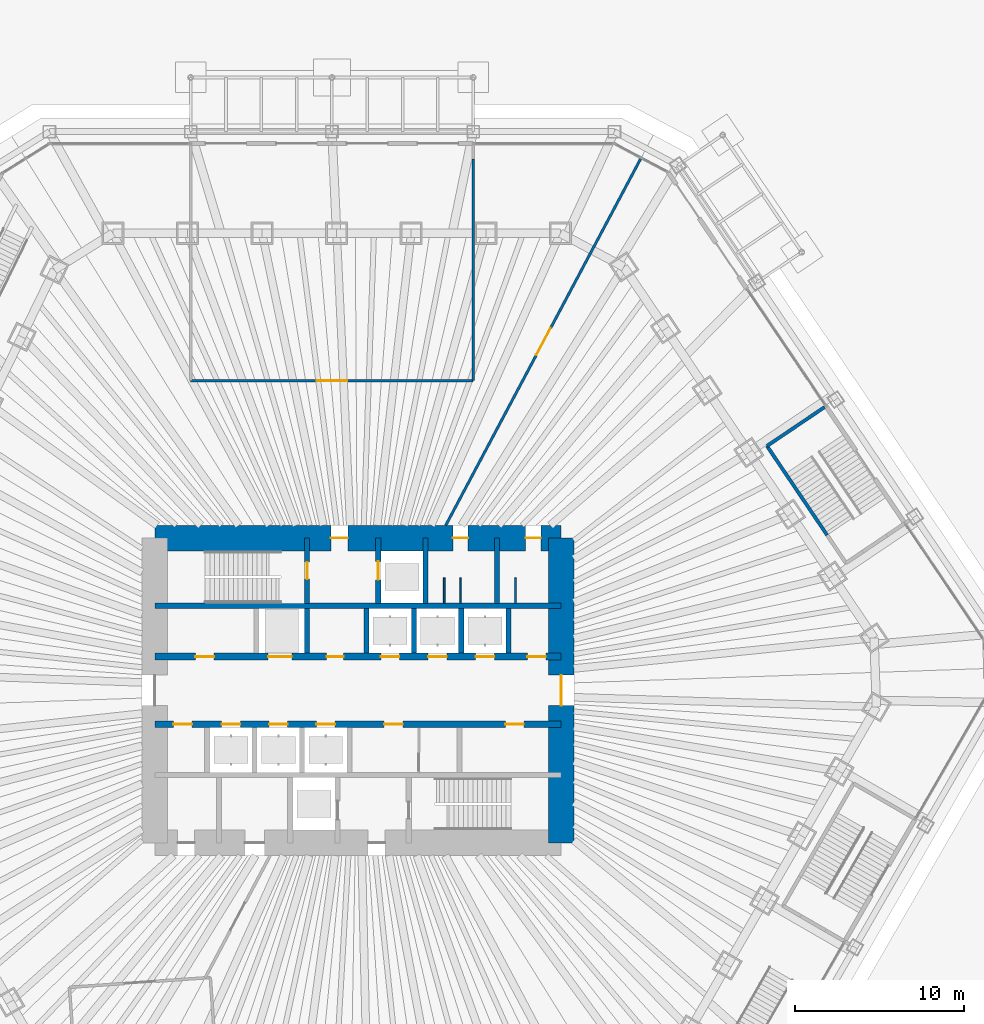
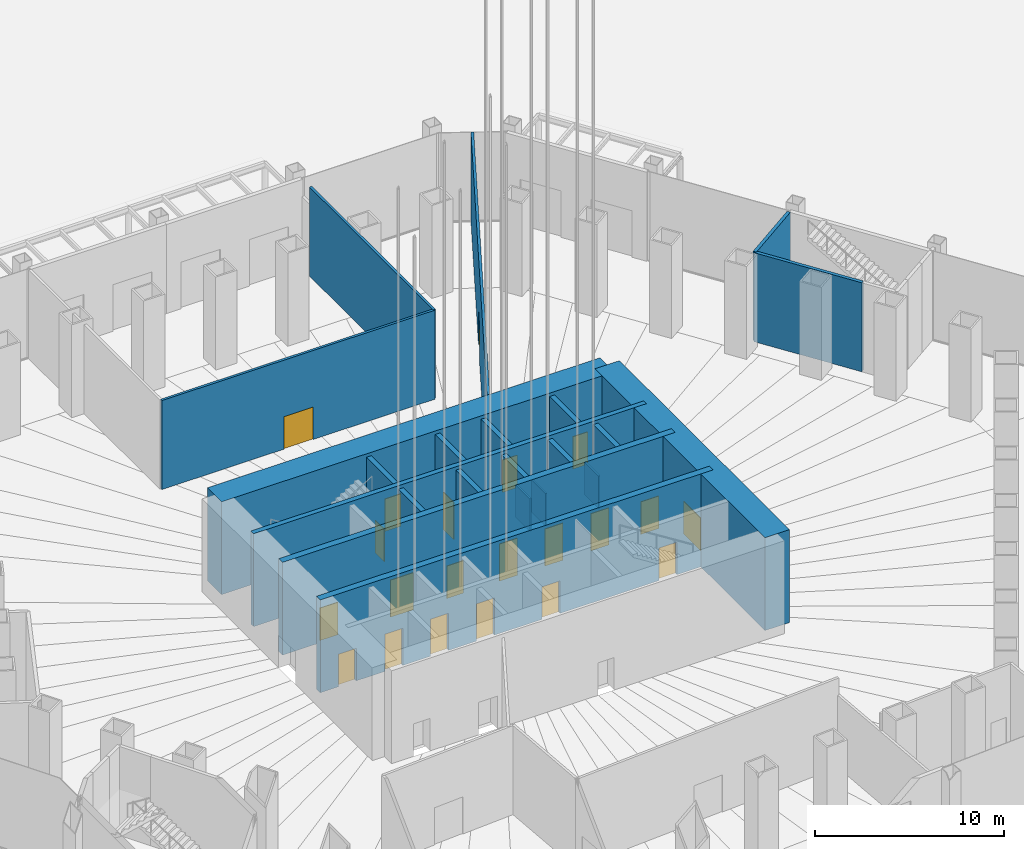
# One storey, part 29 of 45: 22 walls, 21 doors, 21 openings.
"""IFC4 building model written with IfcOpenShell, lengths in metres."""

from ifc_helpers import new_model, si_unit, direction, frame, frame_2d, origin, place, context, subcontext, project, spatial, rectangle, extrude, material, layer, layer_set, type_object, element, fill, save


model = new_model("IFC4")

# Units and contexts
model_context = context("Model", 3, precision=1e-05, world=origin(), true_north=direction((0.0, 1.0)))
body_context = subcontext(model_context, "Body", "Model", "MODEL_VIEW")
ifc_project = project(units=[si_unit("LENGTHUNIT", "METRE"), si_unit("AREAUNIT", "SQUARE_METRE"), si_unit("VOLUMEUNIT", "CUBIC_METRE"), si_unit("PLANEANGLEUNIT", "RADIAN"), si_unit("MASSUNIT", "GRAM", prefix="KILO")], contexts=[model_context])

# Site, building, storey
site_placement = place(None, origin())
site = spatial("IfcSite", under=ifc_project, at=site_placement, CompositionType="ELEMENT")
building_placement = place(site_placement, origin())
building = spatial("IfcBuilding", under=site, at=building_placement, Name="Qingtian Harvest Tower", CompositionType="ELEMENT")
storey_placement = place(building_placement, origin())
storey = spatial("IfcBuildingStorey", under=building, at=storey_placement, Name="L00", CompositionType="ELEMENT", Elevation=0.0)

# Wall
ifc_material_1 = material(Name="Concrete fc' 70 MPa", Category="concrete")
ifc_layer_1 = layer(ifc_material_1, 0.300048828125)
ifc_layer_set_1 = layer_set([ifc_layer_1], Name="Core inner wall RC5 300")
wall_type_1 = type_object("IfcWallType", Name="Core inner wall RC5 300", PredefinedType="SHEAR", material=ifc_layer_set_1)
wall_1_placement = place(storey_placement, frame((-12.0, 5.0, 0.0), z_axis=(0.0, 0.0, 1.0), x_axis=(1.0, 0.0, 0.0)))
element("IfcWall", 1, at=wall_1_placement, inside=storey, type_object=wall_type_1, Name="Core wall IN5 L00", PredefinedType="SHEAR", context=body_context, shape_type="SweptSolid", body=[
    extrude(rectangle(XDim=24.0, YDim=0.300048828125, at=frame_2d((12.0, 0.0))), origin(), (0.0, 0.0, 1.0), 6.0),
])

# Wall, openings, doors
ifc_material_2 = material(Name="Concrete fc' 70 MPa", Category="concrete")
ifc_layer_2 = layer(ifc_material_2, 0.39990234375)
ifc_layer_set_2 = layer_set([ifc_layer_2], Name="Core inner web RC6 400")
wall_type_2 = type_object("IfcWallType", Name="Core inner web RC6 400", PredefinedType="SHEAR", material=ifc_layer_set_2)
wall_2_placement = place(storey_placement, frame((-12.0, 2.0, 0.0), z_axis=(0.0, 0.0, 1.0), x_axis=(1.0, 0.0, 0.0)))
wall_2 = element("IfcWall", 2, at=wall_2_placement, inside=storey, type_object=wall_type_2, Name="Core wall IN2 L00", PredefinedType="SHEAR", context=body_context, shape_type="SweptSolid", body=[
    extrude(rectangle(XDim=24.0, YDim=0.39990234375, at=frame_2d((12.0, 0.0))), origin(), (0.0, 0.0, 1.0), 6.0),
])
opening_1_placement = place(wall_2_placement, frame((2.39990234375, 0.0, 0.0)))
opening_1 = element("IfcOpeningElement", 3, at=opening_1_placement, cuts=wall_2, Name="Opening FD4", PredefinedType="OPENING", context=body_context, shape_type="SweptSolid", body=[
    extrude(rectangle(XDim=1.10009765625, YDim=2.10009765625, at=frame_2d((0.550048828125, 1.050048828125))), frame((0.0, 0.2099609375, 0.0), z_axis=(0.0, -1.0, 0.0), x_axis=(1.0, 0.0, 0.0)), (0.0, 0.0, 1.0), 0.419921875),
])
opening_2_placement = place(wall_2_placement, frame((22.0, 0.0, 0.0)))
opening_2 = element("IfcOpeningElement", 4, at=opening_2_placement, cuts=wall_2, Name="Opening FD4", PredefinedType="OPENING", context=body_context, shape_type="SweptSolid", body=[
    extrude(rectangle(XDim=1.10009765625, YDim=2.10009765625, at=frame_2d((0.550048828125, 1.050048828125))), frame((0.0, 0.2099609375, 0.0), z_axis=(0.0, -1.0, 0.0), x_axis=(1.0, 0.0, 0.0)), (0.0, 0.0, 1.0), 0.419921875),
])
opening_3_placement = place(wall_2_placement, frame((10.14990234375, 0.0, 0.0)))
opening_3 = element("IfcOpeningElement", 5, at=opening_3_placement, cuts=wall_2, Name="Opening FD1", PredefinedType="OPENING", context=body_context, shape_type="SweptSolid", body=[
    extrude(rectangle(XDim=1.0, YDim=2.10009765625, at=frame_2d((0.5, 1.050048828125))), frame((0.0, 0.2099609375, 0.0), z_axis=(0.0, -1.0, 0.0), x_axis=(1.0, 0.0, 0.0)), (0.0, 0.0, 1.0), 0.419921875),
])
opening_4_placement = place(wall_2_placement, frame((6.699951171875, 0.0, 0.0)))
opening_4 = element("IfcOpeningElement", 6, at=opening_4_placement, cuts=wall_2, Name="Opening LD2", PredefinedType="OPENING", context=body_context, shape_type="SweptSolid", body=[
    extrude(rectangle(XDim=1.39990234375, YDim=2.39990234375, at=frame_2d((0.699951171875, 1.199951171875))), frame((0.0, 0.2099609375, 0.0), z_axis=(0.0, -1.0, 0.0), x_axis=(1.0, 0.0, 0.0)), (0.0, 0.0, 1.0), 0.419921875),
])
opening_5_placement = place(wall_2_placement, frame((13.35009765625, 0.0, 0.0)))
opening_5 = element("IfcOpeningElement", 7, at=opening_5_placement, cuts=wall_2, Name="Opening LD1", PredefinedType="OPENING", context=body_context, shape_type="SweptSolid", body=[
    extrude(rectangle(XDim=1.10009765625, YDim=2.39990234375, at=frame_2d((0.550048828125, 1.199951171875))), frame((0.0, 0.2099609375, 0.0), z_axis=(0.0, -1.0, 0.0), x_axis=(1.0, 0.0, 0.0)), (0.0, 0.0, 1.0), 0.419921875),
])
opening_6_placement = place(wall_2_placement, frame((16.14990234375, 0.0, 0.0)))
opening_6 = element("IfcOpeningElement", 8, at=opening_6_placement, cuts=wall_2, Name="Opening LD1", PredefinedType="OPENING", context=body_context, shape_type="SweptSolid", body=[
    extrude(rectangle(XDim=1.10009765625, YDim=2.39990234375, at=frame_2d((0.550048828125, 1.199951171875))), frame((0.0, 0.2099609375, 0.0), z_axis=(0.0, -1.0, 0.0), x_axis=(1.0, 0.0, 0.0)), (0.0, 0.0, 1.0), 0.419921875),
])
opening_7_placement = place(wall_2_placement, frame((18.949951171875, 0.0, 0.0)))
opening_7 = element("IfcOpeningElement", 9, at=opening_7_placement, cuts=wall_2, Name="Opening LD1", PredefinedType="OPENING", context=body_context, shape_type="SweptSolid", body=[
    extrude(rectangle(XDim=1.10009765625, YDim=2.39990234375, at=frame_2d((0.550048828125, 1.199951171875))), frame((0.0, 0.2099609375, 0.0), z_axis=(0.0, -1.0, 0.0), x_axis=(1.0, 0.0, 0.0)), (0.0, 0.0, 1.0), 0.419921875),
])
ifc_material_3 = material(Name="Steel-faced door leaf", Category="steel")
door_type_1 = type_object("IfcDoorType", Name="Fire door FD1 single 1 HR", OperationType="SINGLE_SWING_LEFT", PredefinedType="DOOR", material=ifc_material_3)
door_1_placement = place(opening_3_placement, origin())
door_1 = element("IfcDoor", 10, at=door_1_placement, inside=storey, type_object=door_type_1, Name="STA door L00", OperationType="SINGLE_SWING_LEFT", OverallHeight=2.10009765625, OverallWidth=1.0, PredefinedType="DOOR", context=body_context, shape_type="SweptSolid", body=[
    extrude(rectangle(XDim=1.0, YDim=2.10009765625, at=frame_2d((0.5, 1.050048828125))), frame((0.0, 0.02490234375, 0.0), z_axis=(0.0, -1.0, 0.0), x_axis=(1.0, 0.0, 0.0)), (0.0, 0.0, 1.0), 0.050048828125),
])
fill(opening_3, door_1)
ifc_material_4 = material(Name="Steel-faced door leaf", Category="steel")
door_type_2 = type_object("IfcDoorType", Name="Fire door FD4 single 2 HR", OperationType="SINGLE_SWING_LEFT", PredefinedType="DOOR", material=ifc_material_4)
door_2_placement = place(opening_1_placement, origin())
door_2 = element("IfcDoor", 11, at=door_2_placement, inside=storey, type_object=door_type_2, Name="RA door L00", OperationType="SINGLE_SWING_LEFT", OverallHeight=2.10009765625, OverallWidth=1.10009765625, PredefinedType="DOOR", context=body_context, shape_type="SweptSolid", body=[
    extrude(rectangle(XDim=1.10009765625, YDim=2.10009765625, at=frame_2d((0.550048828125, 1.050048828125))), frame((0.0, 0.02490234375, 0.0), z_axis=(0.0, -1.0, 0.0), x_axis=(1.0, 0.0, 0.0)), (0.0, 0.0, 1.0), 0.050048828125),
])
fill(opening_1, door_2)
door_3_placement = place(opening_2_placement, origin())
door_3 = element("IfcDoor", 12, at=door_3_placement, inside=storey, type_object=door_type_2, Name="AHU door L00", OperationType="SINGLE_SWING_RIGHT", OverallHeight=2.10009765625, OverallWidth=1.10009765625, PredefinedType="DOOR", context=body_context, shape_type="SweptSolid", body=[
    extrude(rectangle(XDim=1.10009765625, YDim=2.10009765625, at=frame_2d((0.550048828125, 1.050048828125))), frame((0.0, 0.02490234375, 0.0), z_axis=(0.0, -1.0, 0.0), x_axis=(1.0, 0.0, 0.0)), (0.0, 0.0, 1.0), 0.050048828125),
])
fill(opening_2, door_3)
ifc_material_5 = material(Name="Stainless steel lift landing door", Category="steel")
door_type_3 = type_object("IfcDoorType", Name="Goods lift landing door LD2 1 HR", OperationType="DOUBLE_DOOR_SLIDING", PredefinedType="DOOR", material=ifc_material_5)
door_4_placement = place(opening_4_placement, origin())
door_4 = element("IfcDoor", 13, at=door_4_placement, inside=storey, type_object=door_type_3, Name="GL1 landing door L00", OperationType="DOUBLE_DOOR_SLIDING", OverallHeight=2.39990234375, OverallWidth=1.39990234375, PredefinedType="DOOR", context=body_context, shape_type="SweptSolid", body=[
    extrude(rectangle(XDim=1.39990234375, YDim=2.39990234375, at=frame_2d((0.699951171875, 1.199951171875))), frame((0.0, 0.02490234375, 0.0), z_axis=(0.0, -1.0, 0.0), x_axis=(1.0, 0.0, 0.0)), (0.0, 0.0, 1.0), 0.050048828125),
])
fill(opening_4, door_4)
ifc_material_6 = material(Name="Stainless steel lift landing door", Category="steel")
door_type_4 = type_object("IfcDoorType", Name="Lift landing door LD1 1 HR", OperationType="DOUBLE_DOOR_SLIDING", PredefinedType="DOOR", material=ifc_material_6)
door_5_placement = place(opening_5_placement, origin())
door_5 = element("IfcDoor", 14, at=door_5_placement, inside=storey, type_object=door_type_4, Name="PLA1 landing door L00", OperationType="DOUBLE_DOOR_SLIDING", OverallHeight=2.39990234375, OverallWidth=1.10009765625, PredefinedType="DOOR", context=body_context, shape_type="SweptSolid", body=[
    extrude(rectangle(XDim=1.10009765625, YDim=2.39990234375, at=frame_2d((0.550048828125, 1.199951171875))), frame((0.0, 0.02490234375, 0.0), z_axis=(0.0, -1.0, 0.0), x_axis=(1.0, 0.0, 0.0)), (0.0, 0.0, 1.0), 0.050048828125),
])
fill(opening_5, door_5)
door_6_placement = place(opening_6_placement, origin())
door_6 = element("IfcDoor", 15, at=door_6_placement, inside=storey, type_object=door_type_4, Name="PLA2 landing door L00", OperationType="DOUBLE_DOOR_SLIDING", OverallHeight=2.39990234375, OverallWidth=1.10009765625, PredefinedType="DOOR", context=body_context, shape_type="SweptSolid", body=[
    extrude(rectangle(XDim=1.10009765625, YDim=2.39990234375, at=frame_2d((0.550048828125, 1.199951171875))), frame((0.0, 0.02490234375, 0.0), z_axis=(0.0, -1.0, 0.0), x_axis=(1.0, 0.0, 0.0)), (0.0, 0.0, 1.0), 0.050048828125),
])
fill(opening_6, door_6)
door_7_placement = place(opening_7_placement, origin())
door_7 = element("IfcDoor", 16, at=door_7_placement, inside=storey, type_object=door_type_4, Name="PLA3 landing door L00", OperationType="DOUBLE_DOOR_SLIDING", OverallHeight=2.39990234375, OverallWidth=1.10009765625, PredefinedType="DOOR", context=body_context, shape_type="SweptSolid", body=[
    extrude(rectangle(XDim=1.10009765625, YDim=2.39990234375, at=frame_2d((0.550048828125, 1.199951171875))), frame((0.0, 0.02490234375, 0.0), z_axis=(0.0, -1.0, 0.0), x_axis=(1.0, 0.0, 0.0)), (0.0, 0.0, 1.0), 0.050048828125),
])
fill(opening_7, door_7)

wall_3_placement = place(storey_placement, frame((-12.0, -2.0, 0.0), z_axis=(0.0, 0.0, 1.0), x_axis=(1.0, 0.0, 0.0)))
wall_3 = element("IfcWall", 17, at=wall_3_placement, inside=storey, type_object=wall_type_2, Name="Core wall IS2 L00", PredefinedType="SHEAR", context=body_context, shape_type="SweptSolid", body=[
    extrude(rectangle(XDim=24.0, YDim=0.39990234375, at=frame_2d((12.0, 0.0))), origin(), (0.0, 0.0, 1.0), 6.0),
])
opening_8_placement = place(wall_3_placement, frame((1.10009765625, 0.0, 0.0)))
opening_8 = element("IfcOpeningElement", 18, at=opening_8_placement, cuts=wall_3, Name="Opening FD4", PredefinedType="OPENING", context=body_context, shape_type="SweptSolid", body=[
    extrude(rectangle(XDim=1.10009765625, YDim=2.10009765625, at=frame_2d((0.550048828125, 1.050048828125))), frame((0.0, 0.2099609375, 0.0), z_axis=(0.0, -1.0, 0.0), x_axis=(1.0, 0.0, 0.0)), (0.0, 0.0, 1.0), 0.419921875),
])
opening_9_placement = place(wall_3_placement, frame((13.550048828125, 0.0, 0.0)))
opening_9 = element("IfcOpeningElement", 19, at=opening_9_placement, cuts=wall_3, Name="Opening FD4", PredefinedType="OPENING", context=body_context, shape_type="SweptSolid", body=[
    extrude(rectangle(XDim=1.10009765625, YDim=2.10009765625, at=frame_2d((0.550048828125, 1.050048828125))), frame((0.0, 0.2099609375, 0.0), z_axis=(0.0, -1.0, 0.0), x_axis=(1.0, 0.0, 0.0)), (0.0, 0.0, 1.0), 0.419921875),
])
opening_10_placement = place(wall_3_placement, frame((20.699951171875, 0.0, 0.0)))
opening_10 = element("IfcOpeningElement", 20, at=opening_10_placement, cuts=wall_3, Name="Opening FD4", PredefinedType="OPENING", context=body_context, shape_type="SweptSolid", body=[
    extrude(rectangle(XDim=1.10009765625, YDim=2.10009765625, at=frame_2d((0.550048828125, 1.050048828125))), frame((0.0, 0.2099609375, 0.0), z_axis=(0.0, -1.0, 0.0), x_axis=(1.0, 0.0, 0.0)), (0.0, 0.0, 1.0), 0.419921875),
])
opening_11_placement = place(wall_3_placement, frame((3.949951171875, 0.0, 0.0)))
opening_11 = element("IfcOpeningElement", 21, at=opening_11_placement, cuts=wall_3, Name="Opening LD1", PredefinedType="OPENING", context=body_context, shape_type="SweptSolid", body=[
    extrude(rectangle(XDim=1.10009765625, YDim=2.39990234375, at=frame_2d((0.550048828125, 1.199951171875))), frame((0.0, 0.2099609375, 0.0), z_axis=(0.0, -1.0, 0.0), x_axis=(1.0, 0.0, 0.0)), (0.0, 0.0, 1.0), 0.419921875),
])
opening_12_placement = place(wall_3_placement, frame((6.75, 0.0, 0.0)))
opening_12 = element("IfcOpeningElement", 22, at=opening_12_placement, cuts=wall_3, Name="Opening LD1", PredefinedType="OPENING", context=body_context, shape_type="SweptSolid", body=[
    extrude(rectangle(XDim=1.10009765625, YDim=2.39990234375, at=frame_2d((0.550048828125, 1.199951171875))), frame((0.0, 0.2099609375, 0.0), z_axis=(0.0, -1.0, 0.0), x_axis=(1.0, 0.0, 0.0)), (0.0, 0.0, 1.0), 0.419921875),
])
opening_13_placement = place(wall_3_placement, frame((9.550048828125, 0.0, 0.0)))
opening_13 = element("IfcOpeningElement", 23, at=opening_13_placement, cuts=wall_3, Name="Opening LD1", PredefinedType="OPENING", context=body_context, shape_type="SweptSolid", body=[
    extrude(rectangle(XDim=1.10009765625, YDim=2.39990234375, at=frame_2d((0.550048828125, 1.199951171875))), frame((0.0, 0.2099609375, 0.0), z_axis=(0.0, -1.0, 0.0), x_axis=(1.0, 0.0, 0.0)), (0.0, 0.0, 1.0), 0.419921875),
])
door_8_placement = place(opening_8_placement, origin())
door_8 = element("IfcDoor", 24, at=door_8_placement, inside=storey, type_object=door_type_2, Name="RB door L00", OperationType="SINGLE_SWING_RIGHT", OverallHeight=2.10009765625, OverallWidth=1.10009765625, PredefinedType="DOOR", context=body_context, shape_type="SweptSolid", body=[
    extrude(rectangle(XDim=1.10009765625, YDim=2.10009765625, at=frame_2d((0.550048828125, 1.050048828125))), frame((0.0, 0.02490234375, 0.0), z_axis=(0.0, -1.0, 0.0), x_axis=(1.0, 0.0, 0.0)), (0.0, 0.0, 1.0), 0.050048828125),
])
fill(opening_8, door_8)
door_9_placement = place(opening_9_placement, origin())
door_9 = element("IfcDoor", 25, at=door_9_placement, inside=storey, type_object=door_type_2, Name="ELEC door L00", OperationType="SINGLE_SWING_LEFT", OverallHeight=2.10009765625, OverallWidth=1.10009765625, PredefinedType="DOOR", context=body_context, shape_type="SweptSolid", body=[
    extrude(rectangle(XDim=1.10009765625, YDim=2.10009765625, at=frame_2d((0.550048828125, 1.050048828125))), frame((0.0, 0.02490234375, 0.0), z_axis=(0.0, -1.0, 0.0), x_axis=(1.0, 0.0, 0.0)), (0.0, 0.0, 1.0), 0.050048828125),
])
fill(opening_9, door_9)
door_10_placement = place(opening_10_placement, origin())
door_10 = element("IfcDoor", 26, at=door_10_placement, inside=storey, type_object=door_type_2, Name="DUCT door L00", OperationType="SINGLE_SWING_LEFT", OverallHeight=2.10009765625, OverallWidth=1.10009765625, PredefinedType="DOOR", context=body_context, shape_type="SweptSolid", body=[
    extrude(rectangle(XDim=1.10009765625, YDim=2.10009765625, at=frame_2d((0.550048828125, 1.050048828125))), frame((0.0, 0.02490234375, 0.0), z_axis=(0.0, -1.0, 0.0), x_axis=(1.0, 0.0, 0.0)), (0.0, 0.0, 1.0), 0.050048828125),
])
fill(opening_10, door_10)
door_11_placement = place(opening_11_placement, origin())
door_11 = element("IfcDoor", 27, at=door_11_placement, inside=storey, type_object=door_type_4, Name="SH1 landing door L00", OperationType="DOUBLE_DOOR_SLIDING", OverallHeight=2.39990234375, OverallWidth=1.10009765625, PredefinedType="DOOR", context=body_context, shape_type="SweptSolid", body=[
    extrude(rectangle(XDim=1.10009765625, YDim=2.39990234375, at=frame_2d((0.550048828125, 1.199951171875))), frame((0.0, 0.02490234375, 0.0), z_axis=(0.0, -1.0, 0.0), x_axis=(1.0, 0.0, 0.0)), (0.0, 0.0, 1.0), 0.050048828125),
])
fill(opening_11, door_11)
door_12_placement = place(opening_12_placement, origin())
door_12 = element("IfcDoor", 28, at=door_12_placement, inside=storey, type_object=door_type_4, Name="SH2 landing door L00", OperationType="DOUBLE_DOOR_SLIDING", OverallHeight=2.39990234375, OverallWidth=1.10009765625, PredefinedType="DOOR", context=body_context, shape_type="SweptSolid", body=[
    extrude(rectangle(XDim=1.10009765625, YDim=2.39990234375, at=frame_2d((0.550048828125, 1.199951171875))), frame((0.0, 0.02490234375, 0.0), z_axis=(0.0, -1.0, 0.0), x_axis=(1.0, 0.0, 0.0)), (0.0, 0.0, 1.0), 0.050048828125),
])
fill(opening_12, door_12)
door_13_placement = place(opening_13_placement, origin())
door_13 = element("IfcDoor", 29, at=door_13_placement, inside=storey, type_object=door_type_4, Name="SH3 landing door L00", OperationType="DOUBLE_DOOR_SLIDING", OverallHeight=2.39990234375, OverallWidth=1.10009765625, PredefinedType="DOOR", context=body_context, shape_type="SweptSolid", body=[
    extrude(rectangle(XDim=1.10009765625, YDim=2.39990234375, at=frame_2d((0.550048828125, 1.199951171875))), frame((0.0, 0.02490234375, 0.0), z_axis=(0.0, -1.0, 0.0), x_axis=(1.0, 0.0, 0.0)), (0.0, 0.0, 1.0), 0.050048828125),
])
fill(opening_13, door_13)

# Wall, opening, door
ifc_material_7 = material(Name="Precast concrete shaft panel", Category="concrete")
ifc_layer_3 = layer(ifc_material_7, 0.300048828125)
ifc_layer_set_3 = layer_set([ifc_layer_3], Name="Core shaft partition SW1 300")
wall_type_3 = type_object("IfcWallType", Name="Core shaft partition SW1 300", PredefinedType="PARTITIONING", material=ifc_layer_set_3)
wall_4_placement = place(storey_placement, frame((-3.0, 5.14990234375, 0.0), z_axis=(0.0, 0.0, 1.0), x_axis=(0.0, 1.0, 0.0)))
wall_4 = element("IfcWall", 30, at=wall_4_placement, inside=storey, type_object=wall_type_3, Name="Core shaft partition XN1 L00", PredefinedType="PARTITIONING", context=body_context, shape_type="SweptSolid", body=[
    extrude(rectangle(XDim=3.85009765625, YDim=0.300048828125, at=frame_2d((1.925048828125, 0.0))), origin(), (0.0, 0.0, 1.0), 5.780029296875),
])
opening_14_placement = place(wall_4_placement, frame((1.425048828125, 0.0, 0.0)))
opening_14 = element("IfcOpeningElement", 31, at=opening_14_placement, cuts=wall_4, Name="Opening FD1", PredefinedType="OPENING", context=body_context, shape_type="SweptSolid", body=[
    extrude(rectangle(XDim=1.0, YDim=2.10009765625, at=frame_2d((0.5, 1.050048828125))), frame((0.0, 0.159912109375, 0.0), z_axis=(0.0, -1.0, 0.0), x_axis=(1.0, 0.0, 0.0)), (0.0, 0.0, 1.0), 0.320068359375),
])
door_14_placement = place(opening_14_placement, origin())
door_14 = element("IfcDoor", 32, at=door_14_placement, inside=storey, type_object=door_type_1, Name="S1 door L00", OperationType="SINGLE_SWING_RIGHT", OverallHeight=2.10009765625, OverallWidth=1.0, PredefinedType="DOOR", context=body_context, shape_type="SweptSolid", body=[
    extrude(rectangle(XDim=1.0, YDim=2.10009765625, at=frame_2d((0.5, 1.050048828125))), frame((0.0, 0.02490234375, 0.0), z_axis=(0.0, -1.0, 0.0), x_axis=(1.0, 0.0, 0.0)), (0.0, 0.0, 1.0), 0.050048828125),
])
fill(opening_14, door_14)

wall_5_placement = place(storey_placement, frame((1.199951171875, 5.14990234375, 0.0), z_axis=(0.0, 0.0, 1.0), x_axis=(0.0, 1.0, 0.0)))
wall_5 = element("IfcWall", 33, at=wall_5_placement, inside=storey, type_object=wall_type_3, Name="Core shaft partition XN2 L00", PredefinedType="PARTITIONING", context=body_context, shape_type="SweptSolid", body=[
    extrude(rectangle(XDim=3.85009765625, YDim=0.300048828125, at=frame_2d((1.925048828125, 0.0))), origin(), (0.0, 0.0, 1.0), 5.780029296875),
])
opening_15_placement = place(wall_5_placement, frame((1.375, 0.0, 0.0)))
opening_15 = element("IfcOpeningElement", 34, at=opening_15_placement, cuts=wall_5, Name="Opening LD1", PredefinedType="OPENING", context=body_context, shape_type="SweptSolid", body=[
    extrude(rectangle(XDim=1.10009765625, YDim=2.39990234375, at=frame_2d((0.550048828125, 1.199951171875))), frame((0.0, 0.159912109375, 0.0), z_axis=(0.0, -1.0, 0.0), x_axis=(1.0, 0.0, 0.0)), (0.0, 0.0, 1.0), 0.320068359375),
])
door_15_placement = place(opening_15_placement, origin())
door_15 = element("IfcDoor", 35, at=door_15_placement, inside=storey, type_object=door_type_4, Name="FL1 landing door L00", OperationType="DOUBLE_DOOR_SLIDING", OverallHeight=2.39990234375, OverallWidth=1.10009765625, PredefinedType="DOOR", context=body_context, shape_type="SweptSolid", body=[
    extrude(rectangle(XDim=1.10009765625, YDim=2.39990234375, at=frame_2d((0.550048828125, 1.199951171875))), frame((0.0, 0.02490234375, 0.0), z_axis=(0.0, -1.0, 0.0), x_axis=(1.0, 0.0, 0.0)), (0.0, 0.0, 1.0), 0.050048828125),
])
fill(opening_15, door_15)

# Walls
for number, where, z_axis, x_axis, name in (
    (36, (4.0, 5.14990234375, 0.0), (0.0, 0.0, 1.0), (0.0, 1.0, 0.0), "Core shaft partition XN3 L00"),
    (37, (8.199951171875, 5.14990234375, 0.0), (0.0, 0.0, 1.0), (0.0, 1.0, 0.0), "Core shaft partition XN4 L00"),
):
    element("IfcWall", number, at=place(storey_placement, frame(where, z_axis=z_axis, x_axis=x_axis)), inside=storey, type_object=wall_type_3, Name=name, PredefinedType="PARTITIONING", context=body_context, shape_type="SweptSolid", body=[
        extrude(rectangle(XDim=3.85009765625, YDim=0.300048828125, at=frame_2d((1.925048828125, 0.0))), origin(), (0.0, 0.0, 1.0), 5.780029296875),
    ])
for number, where, z_axis, x_axis, name in (
    (38, (-3.0, 2.199951171875, 0.0), (0.0, 0.0, 1.0), (0.0, 1.0, 0.0), "Core shaft partition XA2 L00"),
    (39, (0.5, 2.199951171875, 0.0), (0.0, 0.0, 1.0), (0.0, 1.0, 0.0), "Core shaft partition XA3 L00"),
    (40, (3.300048828125, 2.199951171875, 0.0), (0.0, 0.0, 1.0), (0.0, 1.0, 0.0), "Core shaft partition XA4 L00"),
    (41, (6.10009765625, 2.199951171875, 0.0), (0.0, 0.0, 1.0), (0.0, 1.0, 0.0), "Core shaft partition XA5 L00"),
    (42, (8.89990234375, 2.199951171875, 0.0), (0.0, 0.0, 1.0), (0.0, 1.0, 0.0), "Core shaft partition XA6 L00"),
):
    element("IfcWall", number, at=place(storey_placement, frame(where, z_axis=z_axis, x_axis=x_axis)), inside=storey, type_object=wall_type_3, Name=name, PredefinedType="PARTITIONING", context=body_context, shape_type="SweptSolid", body=[
        extrude(rectangle(XDim=2.650146484375, YDim=0.300048828125, at=frame_2d((1.3251953125, 0.0))), origin(), (0.0, 0.0, 1.0), 5.780029296875),
    ])

# Wall, openings, doors
ifc_material_8 = material(Name="Concrete fc' 70 MPa", Category="concrete")
ifc_layer_4 = layer(ifc_material_8, 1.5)
ifc_layer_set_4 = layer_set([ifc_layer_4], Name="Core wall RC1 1500")
wall_type_4 = type_object("IfcWallType", Name="Core wall RC1 1500", PredefinedType="SHEAR", material=ifc_layer_set_4)
wall_6_placement = place(storey_placement, frame((-12.0, 9.0, 0.0), z_axis=(0.0, 0.0, 1.0), x_axis=(1.0, 0.0, 0.0)))
wall_6 = element("IfcWall", 43, at=wall_6_placement, inside=storey, type_object=wall_type_4, Name="Core wall CN L00", PredefinedType="SHEAR", context=body_context, shape_type="SweptSolid", body=[
    extrude(rectangle(XDim=24.0, YDim=1.5, at=frame_2d((12.0, 0.0))), origin(), (0.0, 0.0, 1.0), 6.0),
])
opening_16_placement = place(wall_6_placement, frame((10.39990234375, 0.0, 0.0)))
opening_16 = element("IfcOpeningElement", 44, at=opening_16_placement, cuts=wall_6, Name="Opening FD1", PredefinedType="OPENING", context=body_context, shape_type="SweptSolid", body=[
    extrude(rectangle(XDim=1.0, YDim=2.10009765625, at=frame_2d((0.5, 1.050048828125))), frame((0.0, 0.760009765625, 0.0), z_axis=(0.0, -1.0, 0.0), x_axis=(1.0, 0.0, 0.0)), (0.0, 0.0, 1.0), 1.52001953125),
])
opening_17_placement = place(wall_6_placement, frame((17.60009765625, 0.0, 0.0)))
opening_17 = element("IfcOpeningElement", 45, at=opening_17_placement, cuts=wall_6, Name="Opening D1", PredefinedType="OPENING", context=body_context, shape_type="SweptSolid", body=[
    extrude(rectangle(XDim=0.89990234375, YDim=2.10009765625, at=frame_2d((0.449951171875, 1.050048828125))), frame((0.0, 0.760009765625, 0.0), z_axis=(0.0, -1.0, 0.0), x_axis=(1.0, 0.0, 0.0)), (0.0, 0.0, 1.0), 1.52001953125),
])
opening_18_placement = place(wall_6_placement, frame((21.89990234375, 0.0, 0.0)))
opening_18 = element("IfcOpeningElement", 46, at=opening_18_placement, cuts=wall_6, Name="Opening D1", PredefinedType="OPENING", context=body_context, shape_type="SweptSolid", body=[
    extrude(rectangle(XDim=0.89990234375, YDim=2.10009765625, at=frame_2d((0.449951171875, 1.050048828125))), frame((0.0, 0.760009765625, 0.0), z_axis=(0.0, -1.0, 0.0), x_axis=(1.0, 0.0, 0.0)), (0.0, 0.0, 1.0), 1.52001953125),
])
door_16_placement = place(opening_16_placement, origin())
door_16 = element("IfcDoor", 47, at=door_16_placement, inside=storey, type_object=door_type_1, Name="V1 door L00", OperationType="SINGLE_SWING_RIGHT", OverallHeight=2.10009765625, OverallWidth=1.0, PredefinedType="DOOR", context=body_context, shape_type="SweptSolid", body=[
    extrude(rectangle(XDim=1.0, YDim=2.10009765625, at=frame_2d((0.5, 1.050048828125))), frame((0.0, 0.02490234375, 0.0), z_axis=(0.0, -1.0, 0.0), x_axis=(1.0, 0.0, 0.0)), (0.0, 0.0, 1.0), 0.050048828125),
])
fill(opening_16, door_16)
ifc_material_9 = material(Name="Laminated timber door leaf", Category="wood")
door_type_5 = type_object("IfcDoorType", Name="Toilet door D1 single", OperationType="SINGLE_SWING_LEFT", PredefinedType="DOOR", material=ifc_material_9)
door_17_placement = place(opening_17_placement, origin())
door_17 = element("IfcDoor", 48, at=door_17_placement, inside=storey, type_object=door_type_5, Name="WCM door L00", OperationType="SINGLE_SWING_LEFT", OverallHeight=2.10009765625, OverallWidth=0.89990234375, PredefinedType="DOOR", context=body_context, shape_type="SweptSolid", body=[
    extrude(rectangle(XDim=0.89990234375, YDim=2.10009765625, at=frame_2d((0.449951171875, 1.050048828125))), frame((0.0, 0.02490234375, 0.0), z_axis=(0.0, -1.0, 0.0), x_axis=(1.0, 0.0, 0.0)), (0.0, 0.0, 1.0), 0.050048828125),
])
fill(opening_17, door_17)
door_18_placement = place(opening_18_placement, origin())
door_18 = element("IfcDoor", 49, at=door_18_placement, inside=storey, type_object=door_type_5, Name="WCF door L00", OperationType="SINGLE_SWING_LEFT", OverallHeight=2.10009765625, OverallWidth=0.89990234375, PredefinedType="DOOR", context=body_context, shape_type="SweptSolid", body=[
    extrude(rectangle(XDim=0.89990234375, YDim=2.10009765625, at=frame_2d((0.449951171875, 1.050048828125))), frame((0.0, 0.02490234375, 0.0), z_axis=(0.0, -1.0, 0.0), x_axis=(1.0, 0.0, 0.0)), (0.0, 0.0, 1.0), 0.050048828125),
])
fill(opening_18, door_18)

# Wall, opening, door
wall_7_placement = place(storey_placement, frame((12.0, -9.0, 0.0), z_axis=(0.0, 0.0, 1.0), x_axis=(0.0, 1.0, 0.0)))
wall_7 = element("IfcWall", 50, at=wall_7_placement, inside=storey, type_object=wall_type_4, Name="Core wall CE L00", PredefinedType="SHEAR", context=body_context, shape_type="SweptSolid", body=[
    extrude(rectangle(XDim=18.0, YDim=1.5, at=frame_2d((9.0, 0.0))), origin(), (0.0, 0.0, 1.0), 6.0),
])
opening_19_placement = place(wall_7_placement, frame((8.10009765625, 0.0, 0.0)))
opening_19 = element("IfcOpeningElement", 51, at=opening_19_placement, cuts=wall_7, Name="Opening FD2", PredefinedType="OPENING", context=body_context, shape_type="SweptSolid", body=[
    extrude(rectangle(XDim=1.800048828125, YDim=2.10009765625, at=frame_2d((0.89990234375, 1.050048828125))), frame((0.0, 0.760009765625, 0.0), z_axis=(0.0, -1.0, 0.0), x_axis=(1.0, 0.0, 0.0)), (0.0, 0.0, 1.0), 1.52001953125),
])
ifc_material_10 = material(Name="Steel-faced door leaf", Category="steel")
door_type_6 = type_object("IfcDoorType", Name="Fire door FD2 double 1 HR", OperationType="DOUBLE_DOOR_DOUBLE_SWING", PredefinedType="DOOR", material=ifc_material_10)
door_19_placement = place(opening_19_placement, origin())
door_19 = element("IfcDoor", 52, at=door_19_placement, inside=storey, type_object=door_type_6, Name="LOBBY-E door L00", OperationType="DOUBLE_DOOR_DOUBLE_SWING", OverallHeight=2.10009765625, OverallWidth=1.800048828125, PredefinedType="DOOR", context=body_context, shape_type="SweptSolid", body=[
    extrude(rectangle(XDim=1.800048828125, YDim=2.10009765625, at=frame_2d((0.89990234375, 1.050048828125))), frame((0.0, 0.02490234375, 0.0), z_axis=(0.0, -1.0, 0.0), x_axis=(1.0, 0.0, 0.0)), (0.0, 0.0, 1.0), 0.050048828125),
])
fill(opening_19, door_19)

# Walls
ifc_material_11 = material(Name="Blockwork fire wall", Category="masonry")
ifc_layer_5 = layer(ifc_material_11, 0.199951171875)
ifc_layer_set_5 = layer_set([ifc_layer_5], Name="Fire partition FW1 200")
wall_type_5 = type_object("IfcWallType", Name="Fire partition FW1 200", PredefinedType="PARTITIONING", material=ifc_layer_set_5)
wall_8_placement = place(storey_placement, frame((27.5546875, 16.731689453125, 0.0), z_axis=(0.0, 0.0, 1.0), x_axis=(-0.829042598749, -0.55918545176, 0.0)))
element("IfcWall", 53, at=wall_8_placement, inside=storey, type_object=wall_type_5, Name="Exit stair P1 enclosure L00", PredefinedType="PARTITIONING", context=body_context, shape_type="SweptSolid", body=[
    extrude(rectangle(XDim=4.10009765625, YDim=0.199951171875, at=frame_2d((2.050048828125, 0.0))), origin(), (0.0, 0.0, 1.0), 5.75),
])
wall_9_placement = place(storey_placement, frame((24.155517578125, 14.43896484375, 0.0), z_axis=(0.0, 0.0, 1.0), x_axis=(0.559181615952, -0.829045185971, 0.0)))
element("IfcWall", 54, at=wall_9_placement, inside=storey, type_object=wall_type_5, Name="Exit stair P1 enclosure L00", PredefinedType="PARTITIONING", context=body_context, shape_type="SweptSolid", body=[
    extrude(rectangle(XDim=6.349853515625, YDim=0.199951171875, at=frame_2d((3.1748046875, 0.0))), origin(), (0.0, 0.0, 1.0), 5.75),
])

# Wall, opening, door
ifc_material_12 = material(Name="Fire-rated gypsum board on steel studs", Category="steel")
ifc_layer_6 = layer(ifc_material_12, 0.14990234375)
ifc_layer_set_6 = layer_set([ifc_layer_6], Name="Fire partition FW3 150 1 HR")
wall_type_6 = type_object("IfcWallType", Name="Fire partition FW3 150 1 HR", PredefinedType="PARTITIONING", material=ifc_layer_set_6)
wall_10_placement = place(storey_placement, frame((-9.87890625, 18.300048828125, 0.0), z_axis=(0.0, 0.0, 1.0), x_axis=(1.0, 0.0, 0.0)))
wall_10 = element("IfcWall", 55, at=wall_10_placement, inside=storey, type_object=wall_type_6, Name="Tower lobby wall L00", PredefinedType="PARTITIONING", context=body_context, shape_type="SweptSolid", body=[
    extrude(rectangle(XDim=16.68359375, YDim=0.14990234375, at=frame_2d((8.341796875, 0.0))), origin(), (0.0, 0.0, 1.0), 5.75),
])
opening_20_placement = place(wall_10_placement, frame((7.44189453125, 0.0, 0.0)))
opening_20 = element("IfcOpeningElement", 56, at=opening_20_placement, cuts=wall_10, Name="Opening FD2", PredefinedType="OPENING", context=body_context, shape_type="SweptSolid", body=[
    extrude(rectangle(XDim=1.800048828125, YDim=2.10009765625, at=frame_2d((0.89990234375, 1.050048828125))), frame((0.0, 0.0849609375, 0.0), z_axis=(0.0, -1.0, 0.0), x_axis=(1.0, 0.0, 0.0)), (0.0, 0.0, 1.0), 0.169921875),
])
door_20_placement = place(opening_20_placement, origin())
door_20 = element("IfcDoor", 57, at=door_20_placement, inside=storey, type_object=door_type_6, Name="Tower lobby door L00", OperationType="DOUBLE_DOOR_DOUBLE_SWING", OverallHeight=2.10009765625, OverallWidth=1.800048828125, PredefinedType="DOOR", context=body_context, shape_type="SweptSolid", body=[
    extrude(rectangle(XDim=1.800048828125, YDim=2.10009765625, at=frame_2d((0.89990234375, 1.050048828125))), frame((0.0, 0.02490234375, 0.0), z_axis=(0.0, -1.0, 0.0), x_axis=(1.0, 0.0, 0.0)), (0.0, 0.0, 1.0), 0.050048828125),
])
fill(opening_20, door_20)

# Wall
wall_11_placement = place(storey_placement, frame((6.8046875, 31.3984375, 0.0), z_axis=(0.0, 0.0, 1.0), x_axis=(0.0, -1.0, 0.0)))
element("IfcWall", 58, at=wall_11_placement, inside=storey, type_object=wall_type_6, Name="Tower lobby wall L00", PredefinedType="PARTITIONING", context=body_context, shape_type="SweptSolid", body=[
    extrude(rectangle(XDim=13.098388671875, YDim=0.14990234375, at=frame_2d((6.54931640625, 0.0))), origin(), (0.0, 0.0, 1.0), 5.75),
])

# Wall, opening, door
ifc_material_13 = material(Name="Gypsum board on steel studs", Category="steel")
ifc_layer_7 = layer(ifc_material_13, 0.14990234375)
ifc_layer_set_7 = layer_set([ifc_layer_7], Name="Partition PT1 150")
wall_type_7 = type_object("IfcWallType", Name="Partition PT1 150", PredefinedType="PARTITIONING", material=ifc_layer_set_7)
wall_12_placement = place(storey_placement, frame((5.18408203125, 9.75, 0.0), z_axis=(0.0, 0.0, 1.0), x_axis=(0.469474147629, 0.882946218469, 0.0)))
wall_12 = element("IfcWall", 59, at=wall_12_placement, inside=storey, type_object=wall_type_7, Name="Hall dividing wall L00", PredefinedType="PARTITIONING", context=body_context, shape_type="SweptSolid", body=[
    extrude(rectangle(XDim=24.587646484375, YDim=0.14990234375, at=frame_2d((12.2939453125, 0.0))), origin(), (0.0, 0.0, 1.0), 5.75),
])
opening_21_placement = place(wall_12_placement, frame((11.393798828125, 0.0, 0.0)))
opening_21 = element("IfcOpeningElement", 60, at=opening_21_placement, cuts=wall_12, Name="Opening D3", PredefinedType="OPENING", context=body_context, shape_type="SweptSolid", body=[
    extrude(rectangle(XDim=1.800048828125, YDim=2.39990234375, at=frame_2d((0.89990234375, 1.199951171875))), frame((0.0, 0.0849609375, 0.0), z_axis=(0.0, -1.0, 0.0), x_axis=(1.0, 0.0, 0.0)), (0.0, 0.0, 1.0), 0.169921875),
])
ifc_material_14 = material(Name="Laminated timber door leaf", Category="wood")
door_type_7 = type_object("IfcDoorType", Name="Room door D3 double", OperationType="DOUBLE_DOOR_DOUBLE_SWING", PredefinedType="DOOR", material=ifc_material_14)
door_21_placement = place(opening_21_placement, origin())
door_21 = element("IfcDoor", 61, at=door_21_placement, inside=storey, type_object=door_type_7, Name="Hall door L00", OperationType="DOUBLE_DOOR_DOUBLE_SWING", OverallHeight=2.39990234375, OverallWidth=1.800048828125, PredefinedType="DOOR", context=body_context, shape_type="SweptSolid", body=[
    extrude(rectangle(XDim=1.800048828125, YDim=2.39990234375, at=frame_2d((0.89990234375, 1.199951171875))), frame((0.0, 0.02490234375, 0.0), z_axis=(0.0, -1.0, 0.0), x_axis=(1.0, 0.0, 0.0)), (0.0, 0.0, 1.0), 0.050048828125),
])
fill(opening_21, door_21)

# Walls
ifc_material_15 = material(Name="Compact laminate cubicle partition", Category="plastic")
ifc_layer_8 = layer(ifc_material_15, 0.10009765625)
ifc_layer_set_8 = layer_set([ifc_layer_8], Name="WC cubicle partition WP1 100")
wall_type_8 = type_object("IfcWallType", Name="WC cubicle partition WP1 100", PredefinedType="PARTITIONING", material=ifc_layer_set_8)
for number, where, z_axis, x_axis, name in (
    (62, (5.10009765625, 5.14990234375, 0.0), (0.0, 0.0, 1.0), (0.0, 1.0, 0.0), "WC cubicle partition WCM L00"),
    (63, (6.050048828125, 5.14990234375, 0.0), (0.0, 0.0, 1.0), (0.0, 1.0, 0.0), "WC cubicle partition WCM L00"),
    (64, (9.300048828125, 5.14990234375, 0.0), (0.0, 0.0, 1.0), (0.0, 1.0, 0.0), "WC cubicle partition WCF L00"),
):
    element("IfcWall", number, at=place(storey_placement, frame(where, z_axis=z_axis, x_axis=x_axis)), inside=storey, type_object=wall_type_8, Name=name, PredefinedType="PARTITIONING", context=body_context, shape_type="SweptSolid", body=[
        extrude(rectangle(XDim=1.5, YDim=0.10009765625, at=frame_2d((0.75, 0.0))), origin(), (0.0, 0.0, 1.0), 2.10009765625),
    ])

save(model, "model.ifc")
